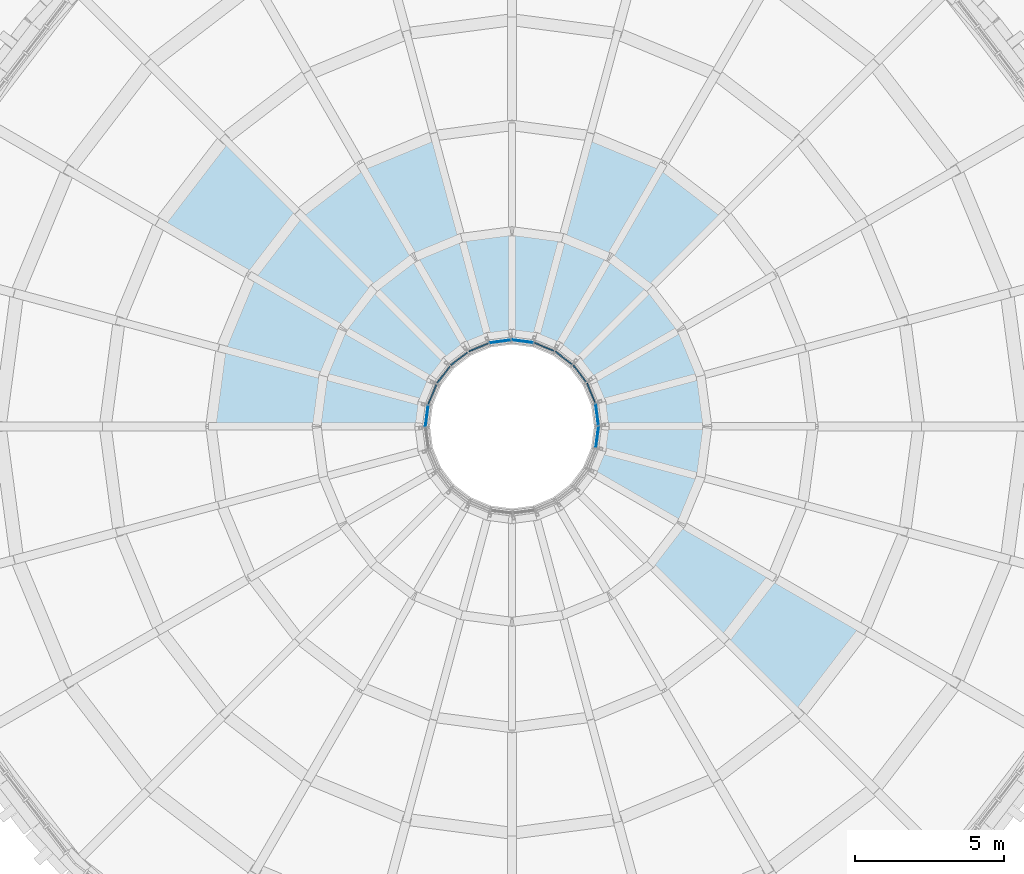
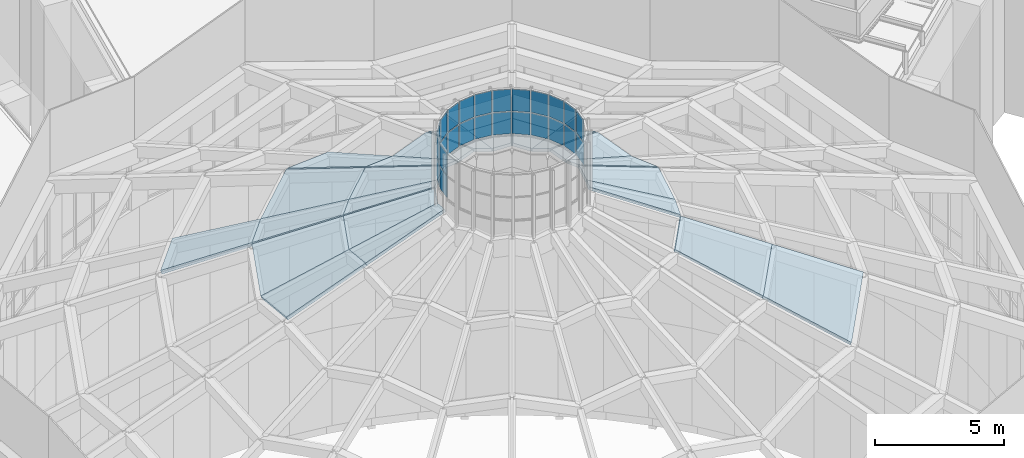
# One storey, part 42 of 82: 26 plates, 24 slabs, 14 elements without a shape of their own.
"""IFC4 building model written with IfcOpenShell, lengths in metres."""

from ifc_helpers import new_model, si_unit, direction, frame, origin, origin_2d, place, context, subcontext, project, spatial, polyline, rectangle, outline, extrude, material, layer, layer_set, type_object, element, aggregate, save


model = new_model("IFC4")

# Units and contexts
model_context = context("Model", 3, precision=1e-05, world=origin(), true_north=direction((0.0, 1.0)))
body_context = subcontext(model_context, "Body", "Model", "MODEL_VIEW")
ifc_project = project(units=[si_unit("LENGTHUNIT", "METRE"), si_unit("AREAUNIT", "SQUARE_METRE"), si_unit("VOLUMEUNIT", "CUBIC_METRE"), si_unit("PLANEANGLEUNIT", "RADIAN"), si_unit("MASSUNIT", "GRAM", prefix="KILO")], contexts=[model_context])

# Site, building, storey
site_placement = place(None, origin())
site = spatial("IfcSite", under=ifc_project, at=site_placement, CompositionType="ELEMENT")
building_placement = place(site_placement, origin())
building = spatial("IfcBuilding", under=site, at=building_placement, Name="Volute Hill Aquarium", CompositionType="ELEMENT")
storey_placement = place(building_placement, frame((0.0, 0.0, 13.800048828125)))
storey = spatial("IfcBuildingStorey", under=building, at=storey_placement, Name="L04", CompositionType="ELEMENT", Elevation=13.800048828125)

# Curtain wall, plates
ifc_material_1 = material(Name="Aluminium", Category="aluminium")
ifc_layer_1 = layer(ifc_material_1, 0.139892578125)
ifc_layer_set_1 = layer_set([ifc_layer_1], Name="Curtain wall DR lantern module 757")
curtain_wall_type = type_object("IfcCurtainWallType", Name="Curtain wall DR lantern module 757", PredefinedType="NOTDEFINED", material=ifc_layer_set_1)
curtain_wall_1_placement = place(storey_placement, origin())
curtain_wall_1 = element("IfcCurtainWall", 1, at=curtain_wall_1_placement, inside=storey, type_object=curtain_wall_type, Name="Curtain wall CW DR lantern l00", PredefinedType="NOTDEFINED")
ifc_material_2 = material(Name="Glass, low-iron laminated", Category="glass")
ifc_layer_2 = layer(ifc_material_2, 0.031982421875)
ifc_layer_set_2 = layer_set([ifc_layer_2], Name="Curtain wall glass panel lantern 32")
plate_type = type_object("IfcPlateType", Name="Curtain wall glass panel lantern 32", PredefinedType="CURTAIN_PANEL", material=ifc_layer_set_2)
plate_1_placement = place(storey_placement, frame((2.847412109375, 0.400146484375, 25.216552734375), z_axis=(0.0, 0.0, 1.0), x_axis=(-0.130502348011, 0.991448000232, 0.0)))
plate_1 = element("IfcPlate", 2, at=plate_1_placement, type_object=plate_type, Name="Panel DR lantern 1.1", PredefinedType="CURTAIN_PANEL", context=body_context, shape_type="SweptSolid", body=[
    extrude(rectangle(XDim=0.70703125, YDim=0.031982421875, at=origin_2d()), origin(), (0.0, 0.0, 1.0), 1.02490234375),
])
plate_2_placement = place(storey_placement, frame((2.909423828125, 0.0517578125, 26.29150390625), z_axis=(0.991443713746, 0.13053490902, 0.0), x_axis=(-0.13053490902, 0.991443713746, 0.0)))
plate_2 = element("IfcPlate", 3, at=plate_2_placement, type_object=plate_type, Name="Panel DR lantern 1.2", PredefinedType="CURTAIN_PANEL", context=body_context, shape_type="SweptSolid", body=[
    extrude(outline(polyline([(0.0, 0.0), (0.7069768305115505, 0.0), (0.7069768305115505, 1.025146484375), (0.0, 1.025146484375), (0.0, 0.0)])), origin(), (0.0, 0.0, -1.0), 0.031982421875),
])
aggregate(curtain_wall_1, [plate_1, plate_2])

curtain_wall_2_placement = place(storey_placement, origin())
curtain_wall_2 = element("IfcCurtainWall", 4, at=curtain_wall_2_placement, inside=storey, type_object=curtain_wall_type, Name="Curtain wall CW DR lantern l01", PredefinedType="NOTDEFINED")
plate_3_placement = place(storey_placement, frame((2.646728515625, 1.123291015625, 25.216552734375), z_axis=(0.0, 0.0, 1.0), x_axis=(-0.382682343719, 0.923879983442, 0.0)))
plate_3 = element("IfcPlate", 5, at=plate_3_placement, type_object=plate_type, Name="Panel DR lantern 1.1", PredefinedType="CURTAIN_PANEL", context=body_context, shape_type="SweptSolid", body=[
    extrude(rectangle(XDim=0.70703125, YDim=0.031982421875, at=origin_2d()), origin(), (0.0, 0.0, 1.0), 1.02490234375),
])
plate_4_placement = place(storey_placement, frame((2.796875, 0.802978515625, 26.29150390625), z_axis=(0.923882130891, 0.382677159262, 0.0), x_axis=(-0.382677159262, 0.923882130891, 0.0)))
plate_4 = element("IfcPlate", 6, at=plate_4_placement, type_object=plate_type, Name="Panel DR lantern 1.2", PredefinedType="CURTAIN_PANEL", context=body_context, shape_type="SweptSolid", body=[
    extrude(outline(polyline([(0.0, 0.0), (0.7068825665515027, 0.0), (0.7068825665515027, 1.025146484375), (0.0, 1.025146484375), (0.0, 0.0)])), origin(), (0.0, 0.0, -1.0), 0.031982421875),
])
aggregate(curtain_wall_2, [plate_3, plate_4])

curtain_wall_3_placement = place(storey_placement, origin())
curtain_wall_3 = element("IfcCurtainWall", 7, at=curtain_wall_3_placement, inside=storey, type_object=curtain_wall_type, Name="Curtain wall CW DR lantern l02", PredefinedType="NOTDEFINED")
plate_5_placement = place(storey_placement, frame((2.265869140625, 1.77001953125, 25.216552734375), z_axis=(0.0, 0.0, 1.0), x_axis=(-0.608797519421, 0.79332564584, 0.0)))
plate_5 = element("IfcPlate", 8, at=plate_5_placement, type_object=plate_type, Name="Panel DR lantern 1.1", PredefinedType="CURTAIN_PANEL", context=body_context, shape_type="SweptSolid", body=[
    extrude(rectangle(XDim=0.70703125, YDim=0.031982421875, at=origin_2d()), origin(), (0.0, 0.0, 1.0), 1.02490234375),
])
plate_6_placement = place(storey_placement, frame((2.49365234375, 1.49951171875, 26.29150390625), z_axis=(0.793278292564, 0.608859220631, 0.0), x_axis=(-0.608859220631, 0.793278292564, 0.0)))
plate_6 = element("IfcPlate", 9, at=plate_6_placement, type_object=plate_type, Name="Panel DR lantern 1.2", PredefinedType="CURTAIN_PANEL", context=body_context, shape_type="SweptSolid", body=[
    extrude(outline(polyline([(0.0, 0.0), (0.7069284775368723, 0.0), (0.7069284775368723, 1.025146484375), (0.0, 1.025146484375), (0.0, 0.0)])), origin(), (0.0, 0.0, -1.0), 0.031982421875),
])
aggregate(curtain_wall_3, [plate_5, plate_6])

curtain_wall_4_placement = place(storey_placement, origin())
curtain_wall_4 = element("IfcCurtainWall", 10, at=curtain_wall_4_placement, inside=storey, type_object=curtain_wall_type, Name="Curtain wall CW DR lantern l03", PredefinedType="NOTDEFINED")
plate_7_placement = place(storey_placement, frame((1.73046875, 2.29638671875, 25.216552734375), z_axis=(0.0, 0.0, 1.0), x_axis=(-0.79332564584, 0.608797519421, 0.0)))
plate_7 = element("IfcPlate", 11, at=plate_7_placement, type_object=plate_type, Name="Panel DR lantern 1.1", PredefinedType="CURTAIN_PANEL", context=body_context, shape_type="SweptSolid", body=[
    extrude(rectangle(XDim=0.70703125, YDim=0.031982421875, at=origin_2d()), origin(), (0.0, 0.0, 1.0), 1.02490234375),
])
plate_8_placement = place(storey_placement, frame((2.020751953125, 2.09375, 26.29150390625), z_axis=(0.608692448648, 0.79340626602, 0.0), x_axis=(-0.79340626602, 0.608692448648, 0.0)))
plate_8 = element("IfcPlate", 12, at=plate_8_placement, type_object=plate_type, Name="Panel DR lantern 1.2", PredefinedType="CURTAIN_PANEL", context=body_context, shape_type="SweptSolid", body=[
    extrude(outline(polyline([(0.0, 0.0), (0.7071221646189172, 0.0), (0.7071221646189172, 1.0251464843749998), (0.0, 1.0251464843749998), (0.0, 0.0)])), origin(), (0.0, 0.0, -1.0), 0.031982421875),
])
aggregate(curtain_wall_4, [plate_7, plate_8])

curtain_wall_5_placement = place(storey_placement, origin())
curtain_wall_5 = element("IfcCurtainWall", 13, at=curtain_wall_5_placement, inside=storey, type_object=curtain_wall_type, Name="Curtain wall CW DR lantern l04", PredefinedType="NOTDEFINED")
plate_9_placement = place(storey_placement, frame((1.0771484375, 2.666015625, 25.216552734375), z_axis=(0.0, 0.0, 1.0), x_axis=(-0.923879983442, 0.382682343719, 0.0)))
plate_9 = element("IfcPlate", 14, at=plate_9_placement, type_object=plate_type, Name="Panel DR lantern 1.1", PredefinedType="CURTAIN_PANEL", context=body_context, shape_type="SweptSolid", body=[
    extrude(rectangle(XDim=0.70703125, YDim=0.031982421875, at=origin_2d()), origin(), (0.0, 0.0, 1.0), 1.02490234375),
])
plate_10_placement = place(storey_placement, frame((1.409912109375, 2.54541015625, 26.29150390625), z_axis=(0.382849766253, 0.923810617216, 0.0), x_axis=(-0.923810617216, 0.382849766253, 0.0)))
plate_10 = element("IfcPlate", 15, at=plate_10_placement, type_object=plate_type, Name="Panel DR lantern 1.2", PredefinedType="CURTAIN_PANEL", context=body_context, shape_type="SweptSolid", body=[
    extrude(outline(polyline([(0.0, 0.0), (0.7072015630964766, 0.0), (0.7072015630964766, 1.025146484375), (0.0, 1.025146484375), (0.0, 0.0)])), origin(), (0.0, 0.0, -1.0), 0.031982421875),
])
aggregate(curtain_wall_5, [plate_9, plate_10])

curtain_wall_6_placement = place(storey_placement, origin())
curtain_wall_6 = element("IfcCurtainWall", 16, at=curtain_wall_6_placement, inside=storey, type_object=curtain_wall_type, Name="Curtain wall CW DR lantern l05", PredefinedType="NOTDEFINED")
plate_11_placement = place(storey_placement, frame((0.3505859375, 2.853759765625, 25.216552734375), z_axis=(0.0, 0.0, 1.0), x_axis=(-0.991448000232, 0.130502348011, 0.0)))
plate_11 = element("IfcPlate", 17, at=plate_11_placement, type_object=plate_type, Name="Panel DR lantern 1.1", PredefinedType="CURTAIN_PANEL", context=body_context, shape_type="SweptSolid", body=[
    extrude(rectangle(XDim=0.70703125, YDim=0.031982421875, at=origin_2d()), origin(), (0.0, 0.0, 1.0), 1.02490234375),
])
plate_12_placement = place(storey_placement, frame((0.703125, 2.823486328125, 26.29150390625), z_axis=(0.13053490902, 0.991443713746, 0.0), x_axis=(-0.991443713746, 0.13053490902, 0.0)))
plate_12 = element("IfcPlate", 18, at=plate_12_placement, type_object=plate_type, Name="Panel DR lantern 1.2", PredefinedType="CURTAIN_PANEL", context=body_context, shape_type="SweptSolid", body=[
    extrude(outline(polyline([(0.0, 0.0), (0.7069768305115505, 0.0), (0.7069768305115505, 1.025146484375), (0.0, 1.025146484375), (0.0, 0.0)])), origin(), (0.0, 0.0, -1.0), 0.031982421875),
])
aggregate(curtain_wall_6, [plate_11, plate_12])

curtain_wall_7_placement = place(storey_placement, origin())
curtain_wall_7 = element("IfcCurtainWall", 19, at=curtain_wall_7_placement, inside=storey, type_object=curtain_wall_type, Name="Curtain wall CW DR lantern l06", PredefinedType="NOTDEFINED")
plate_13_placement = place(storey_placement, frame((-0.400146484375, 2.847412109375, 25.216552734375), z_axis=(0.0, 0.0, 1.0), x_axis=(-0.991448000232, -0.130502348011, 0.0)))
plate_13 = element("IfcPlate", 20, at=plate_13_placement, type_object=plate_type, Name="Panel DR lantern 1.1", PredefinedType="CURTAIN_PANEL", context=body_context, shape_type="SweptSolid", body=[
    extrude(rectangle(XDim=0.70703125, YDim=0.031982421875, at=origin_2d()), origin(), (0.0, 0.0, 1.0), 1.02490234375),
])
plate_14_placement = place(storey_placement, frame((-0.0517578125, 2.909423828125, 26.29150390625), z_axis=(-0.13053490902, 0.991443713746, 0.0), x_axis=(-0.991443713746, -0.13053490902, 0.0)))
plate_14 = element("IfcPlate", 21, at=plate_14_placement, type_object=plate_type, Name="Panel DR lantern 1.2", PredefinedType="CURTAIN_PANEL", context=body_context, shape_type="SweptSolid", body=[
    extrude(outline(polyline([(0.0, 0.0), (0.7069768305115505, 0.0), (0.7069768305115505, 1.025146484375), (0.0, 1.025146484375), (0.0, 0.0)])), origin(), (0.0, 0.0, -1.0), 0.031982421875),
])
aggregate(curtain_wall_7, [plate_13, plate_14])

curtain_wall_8_placement = place(storey_placement, origin())
curtain_wall_8 = element("IfcCurtainWall", 22, at=curtain_wall_8_placement, inside=storey, type_object=curtain_wall_type, Name="Curtain wall CW DR lantern l07", PredefinedType="NOTDEFINED")
plate_15_placement = place(storey_placement, frame((-1.123291015625, 2.646728515625, 25.216552734375), z_axis=(0.0, 0.0, 1.0), x_axis=(-0.923879983442, -0.382682343719, 0.0)))
plate_15 = element("IfcPlate", 23, at=plate_15_placement, type_object=plate_type, Name="Panel DR lantern 1.1", PredefinedType="CURTAIN_PANEL", context=body_context, shape_type="SweptSolid", body=[
    extrude(rectangle(XDim=0.70703125, YDim=0.031982421875, at=origin_2d()), origin(), (0.0, 0.0, 1.0), 1.02490234375),
])
plate_16_placement = place(storey_placement, frame((-0.802978515625, 2.796875, 26.29150390625), z_axis=(-0.382677159262, 0.923882130891, 0.0), x_axis=(-0.923882130891, -0.382677159262, 0.0)))
plate_16 = element("IfcPlate", 24, at=plate_16_placement, type_object=plate_type, Name="Panel DR lantern 1.2", PredefinedType="CURTAIN_PANEL", context=body_context, shape_type="SweptSolid", body=[
    extrude(outline(polyline([(0.0, 0.0), (0.7068825665515027, 0.0), (0.7068825665515027, 1.025146484375), (0.0, 1.025146484375), (0.0, 0.0)])), origin(), (0.0, 0.0, -1.0), 0.031982421875),
])
aggregate(curtain_wall_8, [plate_15, plate_16])

curtain_wall_9_placement = place(storey_placement, origin())
curtain_wall_9 = element("IfcCurtainWall", 25, at=curtain_wall_9_placement, inside=storey, type_object=curtain_wall_type, Name="Curtain wall CW DR lantern l08", PredefinedType="NOTDEFINED")
plate_17_placement = place(storey_placement, frame((-1.77001953125, 2.265869140625, 25.216552734375), z_axis=(0.0, 0.0, 1.0), x_axis=(-0.79332564584, -0.608797519421, 0.0)))
plate_17 = element("IfcPlate", 26, at=plate_17_placement, type_object=plate_type, Name="Panel DR lantern 1.1", PredefinedType="CURTAIN_PANEL", context=body_context, shape_type="SweptSolid", body=[
    extrude(rectangle(XDim=0.70703125, YDim=0.031982421875, at=origin_2d()), origin(), (0.0, 0.0, 1.0), 1.02490234375),
])
plate_18_placement = place(storey_placement, frame((-1.49951171875, 2.49365234375, 26.29150390625), z_axis=(-0.608859220631, 0.793278292564, 0.0), x_axis=(-0.793278292564, -0.608859220631, 0.0)))
plate_18 = element("IfcPlate", 27, at=plate_18_placement, type_object=plate_type, Name="Panel DR lantern 1.2", PredefinedType="CURTAIN_PANEL", context=body_context, shape_type="SweptSolid", body=[
    extrude(outline(polyline([(0.0, 0.0), (0.7069284775368723, 0.0), (0.7069284775368723, 1.025146484375), (0.0, 1.025146484375), (0.0, 0.0)])), origin(), (0.0, 0.0, -1.0), 0.031982421875),
])
aggregate(curtain_wall_9, [plate_17, plate_18])

curtain_wall_10_placement = place(storey_placement, origin())
curtain_wall_10 = element("IfcCurtainWall", 28, at=curtain_wall_10_placement, inside=storey, type_object=curtain_wall_type, Name="Curtain wall CW DR lantern l09", PredefinedType="NOTDEFINED")
plate_19_placement = place(storey_placement, frame((-2.29638671875, 1.73046875, 25.216552734375), z_axis=(0.0, 0.0, 1.0), x_axis=(-0.608797519421, -0.79332564584, 0.0)))
plate_19 = element("IfcPlate", 29, at=plate_19_placement, type_object=plate_type, Name="Panel DR lantern 1.1", PredefinedType="CURTAIN_PANEL", context=body_context, shape_type="SweptSolid", body=[
    extrude(rectangle(XDim=0.70703125, YDim=0.031982421875, at=origin_2d()), origin(), (0.0, 0.0, 1.0), 1.02490234375),
])
plate_20_placement = place(storey_placement, frame((-2.09375, 2.020751953125, 26.29150390625), z_axis=(-0.79340626602, 0.608692448648, 0.0), x_axis=(-0.608692448648, -0.79340626602, 0.0)))
plate_20 = element("IfcPlate", 30, at=plate_20_placement, type_object=plate_type, Name="Panel DR lantern 1.2", PredefinedType="CURTAIN_PANEL", context=body_context, shape_type="SweptSolid", body=[
    extrude(outline(polyline([(0.0, 0.0), (0.7071221646189172, 0.0), (0.7071221646189172, 1.0251464843749998), (0.0, 1.0251464843749998), (0.0, 0.0)])), origin(), (0.0, 0.0, -1.0), 0.031982421875),
])
aggregate(curtain_wall_10, [plate_19, plate_20])

curtain_wall_11_placement = place(storey_placement, origin())
curtain_wall_11 = element("IfcCurtainWall", 31, at=curtain_wall_11_placement, inside=storey, type_object=curtain_wall_type, Name="Curtain wall CW DR lantern l10", PredefinedType="NOTDEFINED")
plate_21_placement = place(storey_placement, frame((-2.666015625, 1.0771484375, 25.216552734375), z_axis=(0.0, 0.0, 1.0), x_axis=(-0.382682343719, -0.923879983442, 0.0)))
plate_21 = element("IfcPlate", 32, at=plate_21_placement, type_object=plate_type, Name="Panel DR lantern 1.1", PredefinedType="CURTAIN_PANEL", context=body_context, shape_type="SweptSolid", body=[
    extrude(rectangle(XDim=0.70703125, YDim=0.031982421875, at=origin_2d()), origin(), (0.0, 0.0, 1.0), 1.02490234375),
])
plate_22_placement = place(storey_placement, frame((-2.54541015625, 1.409912109375, 26.29150390625), z_axis=(-0.923810617216, 0.382849766253, 0.0), x_axis=(-0.382849766253, -0.923810617216, 0.0)))
plate_22 = element("IfcPlate", 33, at=plate_22_placement, type_object=plate_type, Name="Panel DR lantern 1.2", PredefinedType="CURTAIN_PANEL", context=body_context, shape_type="SweptSolid", body=[
    extrude(outline(polyline([(0.0, 0.0), (0.7072015630964766, 0.0), (0.7072015630964766, 1.025146484375), (0.0, 1.025146484375), (0.0, 0.0)])), origin(), (0.0, 0.0, -1.0), 0.031982421875),
])
aggregate(curtain_wall_11, [plate_21, plate_22])

curtain_wall_12_placement = place(storey_placement, origin())
curtain_wall_12 = element("IfcCurtainWall", 34, at=curtain_wall_12_placement, inside=storey, type_object=curtain_wall_type, Name="Curtain wall CW DR lantern l11", PredefinedType="NOTDEFINED")
plate_23_placement = place(storey_placement, frame((-2.853759765625, 0.3505859375, 25.216552734375), z_axis=(0.0, 0.0, 1.0), x_axis=(-0.130502348011, -0.991448000232, 0.0)))
plate_23 = element("IfcPlate", 35, at=plate_23_placement, type_object=plate_type, Name="Panel DR lantern 1.1", PredefinedType="CURTAIN_PANEL", context=body_context, shape_type="SweptSolid", body=[
    extrude(rectangle(XDim=0.70703125, YDim=0.031982421875, at=origin_2d()), origin(), (0.0, 0.0, 1.0), 1.02490234375),
])
plate_24_placement = place(storey_placement, frame((-2.823486328125, 0.703125, 26.29150390625), z_axis=(-0.991443713746, 0.13053490902, 0.0), x_axis=(-0.13053490902, -0.991443713746, 0.0)))
plate_24 = element("IfcPlate", 36, at=plate_24_placement, type_object=plate_type, Name="Panel DR lantern 1.2", PredefinedType="CURTAIN_PANEL", context=body_context, shape_type="SweptSolid", body=[
    extrude(outline(polyline([(0.0, 0.0), (0.7069768305115505, 0.0), (0.7069768305115505, 1.025146484375), (0.0, 1.025146484375), (0.0, 0.0)])), origin(), (0.0, 0.0, -1.0), 0.031982421875),
])
aggregate(curtain_wall_12, [plate_23, plate_24])

curtain_wall_13_placement = place(storey_placement, origin())
curtain_wall_13 = element("IfcCurtainWall", 37, at=curtain_wall_13_placement, inside=storey, type_object=curtain_wall_type, Name="Curtain wall CW DR lantern l23", PredefinedType="NOTDEFINED")
plate_25_placement = place(storey_placement, frame((2.853759765625, -0.3505859375, 25.216552734375), z_axis=(0.0, 0.0, 1.0), x_axis=(0.130502348011, 0.991448000232, 0.0)))
plate_25 = element("IfcPlate", 38, at=plate_25_placement, type_object=plate_type, Name="Panel DR lantern 1.1", PredefinedType="CURTAIN_PANEL", context=body_context, shape_type="SweptSolid", body=[
    extrude(rectangle(XDim=0.70703125, YDim=0.031982421875, at=origin_2d()), origin(), (0.0, 0.0, 1.0), 1.02490234375),
])
plate_26_placement = place(storey_placement, frame((2.823486328125, -0.703125, 26.29150390625), z_axis=(0.991443713746, -0.13053490902, 0.0), x_axis=(0.13053490902, 0.991443713746, 0.0)))
plate_26 = element("IfcPlate", 39, at=plate_26_placement, type_object=plate_type, Name="Panel DR lantern 1.2", PredefinedType="CURTAIN_PANEL", context=body_context, shape_type="SweptSolid", body=[
    extrude(outline(polyline([(0.0, 0.0), (0.7069768305115505, 0.0), (0.7069768305115505, 1.025146484375), (0.0, 1.025146484375), (0.0, 0.0)])), origin(), (0.0, 0.0, -1.0), 0.031982421875),
])
aggregate(curtain_wall_13, [plate_25, plate_26])

# Roof, slabs
roof_placement = place(storey_placement, origin())
roof = element("IfcRoof", 40, at=roof_placement, inside=storey, Name="Folded dome shell roof", PredefinedType="DOME_ROOF")
ifc_material_3 = material(Name="Concrete C40/50", Category="concrete")
ifc_layer_3 = layer(ifc_material_3, 0.1201171875)
ifc_layer_set_3 = layer_set([ifc_layer_3], Name="Dome shell plate C40/50 120")
slab_type_1 = type_object("IfcSlabType", Name="Dome shell plate C40/50 120", PredefinedType="ROOF", material=ifc_layer_set_3)
slab_1_placement = place(storey_placement, frame((6.5361328125, 0.037353515625, 23.369873046875), z_axis=(0.335467684888, 0.279210936587, 0.899723671627), x_axis=(-0.126956664477, 0.959755082782, -0.250503865078)))
slab_1 = element("IfcSlab", 41, at=slab_1_placement, type_object=slab_type_1, Name="Dome shell plate 5.1", PredefinedType="ROOF", context=body_context, shape_type="SweptSolid", body=[
    extrude(outline(polyline([(0.0, 0.0), (1.7247098218959465, 2.7755575615628914e-17), (0.8890618203838421, 3.77687718185007), (0.11881048347109141, 3.776201344347077), (0.0, 0.0)])), origin(), (0.0, 0.0, -1.0), 0.1201171875),
])
slab_2_placement = place(storey_placement, frame((6.317138671875, 1.692626953125, 22.937744140625), z_axis=(0.430139073391, -0.074118016519, 0.899714897714), x_axis=(-0.369848434748, 0.894679276158, 0.250521711889)))
slab_2 = element("IfcSlab", 42, at=slab_2_placement, type_object=slab_type_1, Name="Dome shell plate 5.2", PredefinedType="ROOF", context=body_context, shape_type="SweptSolid", body=[
    extrude(outline(polyline([(0.0, 0.0), (1.7248791734948663, 2.7755575615628914e-17), (1.605758669942584, 3.776118567442564), (0.8357770280184584, 3.77684863304529), (0.0, 0.0)])), origin(), (0.0, 0.0, -1.0), 0.1201171875),
])
slab_3_placement = place(storey_placement, frame((5.641845703125, 3.300537109375, 23.369873046875), z_axis=(0.150886878852, 0.409565437127, 0.899716234432), x_axis=(-0.589855554207, 0.767661969918, -0.250530487393)))
slab_3 = element("IfcSlab", 43, at=slab_3_placement, type_object=slab_type_1, Name="Dome shell plate 5.3", PredefinedType="ROOF", context=body_context, shape_type="SweptSolid", body=[
    extrude(outline(polyline([(0.0, 0.0), (1.7247065234202523, 5.551115123125783e-17), (0.888967411296786, 3.7768765763073215), (0.11887184995857247, 3.776126402998328), (0.0, 0.0)])), origin(), (0.0, 0.0, -1.0), 0.1201171875),
])
slab_4_placement = place(storey_placement, frame((4.62451171875, 4.62451171875, 22.937744140625), z_axis=(0.409565437127, 0.150886878852, 0.899716234432), x_axis=(-0.767661969918, 0.589855554207, 0.250530487393)))
slab_4 = element("IfcSlab", 44, at=slab_4_placement, type_object=slab_type_1, Name="Dome shell plate 5.4", PredefinedType="ROOF", context=body_context, shape_type="SweptSolid", body=[
    extrude(outline(polyline([(0.0, 0.0), (1.7247065234202523, -5.551115123125783e-17), (1.60583467346168, 3.7761264029983277), (0.8357391121234663, 3.776876576307321), (0.0, 0.0)])), origin(), (0.0, 0.0, -1.0), 0.1201171875),
])
slab_5_placement = place(storey_placement, frame((3.23583984375, 5.67919921875, 23.369873046875), z_axis=(-0.074118016519, 0.430139073391, 0.899714897714), x_axis=(-0.894679276158, 0.369848434748, -0.250521711889)))
slab_5 = element("IfcSlab", 45, at=slab_5_placement, type_object=slab_type_1, Name="Dome shell plate 5.5", PredefinedType="ROOF", context=body_context, shape_type="SweptSolid", body=[
    extrude(outline(polyline([(0.0, 0.0), (1.7248791734948663, -2.7755575615628914e-17), (0.8891021454764074, 3.77684863304529), (0.11912050355228215, 3.776118567442564), (0.0, 0.0)])), origin(), (0.0, 0.0, -1.0), 0.1201171875),
])
slab_6_placement = place(storey_placement, frame((1.692626953125, 6.317138671875, 22.937744140625), z_axis=(0.279210936587, 0.335467684888, 0.899723671627), x_axis=(-0.959755082782, 0.126956664477, 0.250503865078)))
slab_6 = element("IfcSlab", 46, at=slab_6_placement, type_object=slab_type_1, Name="Dome shell plate 5.6", PredefinedType="ROOF", context=body_context, shape_type="SweptSolid", body=[
    extrude(outline(polyline([(0.0, 0.0), (1.7247098218959465, -2.7755575615628914e-17), (1.605899338424855, 3.776201344347077), (0.8356480015121044, 3.77687718185007), (0.0, 0.0)])), origin(), (0.0, 0.0, -1.0), 0.1201171875),
])
slab_7_placement = place(storey_placement, frame((-0.037353515625, 6.5361328125, 23.369873046875), z_axis=(-0.279210936587, 0.335467684888, 0.899723671627), x_axis=(-0.959755082782, -0.126956664477, -0.250503865078)))
slab_7 = element("IfcSlab", 47, at=slab_7_placement, type_object=slab_type_1, Name="Dome shell plate 5.7", PredefinedType="ROOF", context=body_context, shape_type="SweptSolid", body=[
    extrude(outline(polyline([(0.0, 0.0), (1.7247098218959465, 2.7755575615628914e-17), (0.8890618203838421, 3.77687718185007), (0.11881048347109141, 3.776201344347077), (0.0, 0.0)])), origin(), (0.0, 0.0, -1.0), 0.1201171875),
])
slab_8_placement = place(storey_placement, frame((-1.692626953125, 6.317138671875, 22.937744140625), z_axis=(0.074118016519, 0.430139073391, 0.899714897714), x_axis=(-0.894679276158, -0.369848434748, 0.250521711889)))
slab_8 = element("IfcSlab", 48, at=slab_8_placement, type_object=slab_type_1, Name="Dome shell plate 5.8", PredefinedType="ROOF", context=body_context, shape_type="SweptSolid", body=[
    extrude(outline(polyline([(0.0, 0.0), (1.7248791734948663, 2.7755575615628914e-17), (1.605758669942584, 3.776118567442564), (0.8357770280184584, 3.77684863304529), (0.0, 0.0)])), origin(), (0.0, 0.0, -1.0), 0.1201171875),
])
slab_9_placement = place(storey_placement, frame((-3.300537109375, 5.641845703125, 23.369873046875), z_axis=(-0.409565437127, 0.150886878852, 0.899716234432), x_axis=(-0.767661969918, -0.589855554207, -0.250530487393)))
slab_9 = element("IfcSlab", 49, at=slab_9_placement, type_object=slab_type_1, Name="Dome shell plate 5.9", PredefinedType="ROOF", context=body_context, shape_type="SweptSolid", body=[
    extrude(outline(polyline([(0.0, 0.0), (1.7247065234202523, 5.551115123125783e-17), (0.888967411296786, 3.7768765763073215), (0.11887184995857247, 3.776126402998328), (0.0, 0.0)])), origin(), (0.0, 0.0, -1.0), 0.1201171875),
])
slab_10_placement = place(storey_placement, frame((-4.62451171875, 4.62451171875, 22.937744140625), z_axis=(-0.150886878852, 0.409565437127, 0.899716234432), x_axis=(-0.589855554207, -0.767661969918, 0.250530487393)))
slab_10 = element("IfcSlab", 50, at=slab_10_placement, type_object=slab_type_1, Name="Dome shell plate 5.10", PredefinedType="ROOF", context=body_context, shape_type="SweptSolid", body=[
    extrude(outline(polyline([(0.0, 0.0), (1.7247065234202523, -5.551115123125783e-17), (1.60583467346168, 3.7761264029983277), (0.8357391121234663, 3.776876576307321), (0.0, 0.0)])), origin(), (0.0, 0.0, -1.0), 0.1201171875),
])
slab_11_placement = place(storey_placement, frame((-5.67919921875, 3.23583984375, 23.369873046875), z_axis=(-0.430139073391, -0.074118016519, 0.899714897714), x_axis=(-0.369848434748, -0.894679276158, -0.250521711889)))
slab_11 = element("IfcSlab", 51, at=slab_11_placement, type_object=slab_type_1, Name="Dome shell plate 5.11", PredefinedType="ROOF", context=body_context, shape_type="SweptSolid", body=[
    extrude(outline(polyline([(0.0, 0.0), (1.7248791734948663, -2.7755575615628914e-17), (0.8891021454764074, 3.77684863304529), (0.11912050355228215, 3.776118567442564), (0.0, 0.0)])), origin(), (0.0, 0.0, -1.0), 0.1201171875),
])
slab_12_placement = place(storey_placement, frame((-6.317138671875, 1.692626953125, 22.937744140625), z_axis=(-0.335467684888, 0.279210936587, 0.899723671627), x_axis=(-0.126956664477, -0.959755082782, 0.250503865078)))
slab_12 = element("IfcSlab", 52, at=slab_12_placement, type_object=slab_type_1, Name="Dome shell plate 5.12", PredefinedType="ROOF", context=body_context, shape_type="SweptSolid", body=[
    extrude(outline(polyline([(0.0, 0.0), (1.7247098218959465, -2.7755575615628914e-17), (1.605899338424855, 3.776201344347077), (0.8356480015121044, 3.77687718185007), (0.0, 0.0)])), origin(), (0.0, 0.0, -1.0), 0.1201171875),
])
slab_13_placement = place(storey_placement, frame((5.67919921875, -3.23583984375, 23.369873046875), z_axis=(0.430139073391, 0.074118016519, 0.899714897714), x_axis=(0.369848434748, 0.894679276158, -0.250521711889)))
slab_13 = element("IfcSlab", 53, at=slab_13_placement, type_object=slab_type_1, Name="Dome shell plate 5.23", PredefinedType="ROOF", context=body_context, shape_type="SweptSolid", body=[
    extrude(outline(polyline([(0.0, 0.0), (1.7248791734948663, -2.7755575615628914e-17), (0.8891021454764074, 3.77684863304529), (0.11912050355228215, 3.776118567442564), (0.0, 0.0)])), origin(), (0.0, 0.0, -1.0), 0.1201171875),
])
slab_14_placement = place(storey_placement, frame((6.317138671875, -1.692626953125, 22.937744140625), z_axis=(0.335467684888, -0.279210936587, 0.899723671627), x_axis=(0.126956664477, 0.959755082782, 0.250503865078)))
slab_14 = element("IfcSlab", 54, at=slab_14_placement, type_object=slab_type_1, Name="Dome shell plate 5.24", PredefinedType="ROOF", context=body_context, shape_type="SweptSolid", body=[
    extrude(outline(polyline([(0.0, 0.0), (1.7247098218959465, -2.7755575615628914e-17), (1.605899338424855, 3.776201344347077), (0.8356480015121044, 3.77687718185007), (0.0, 0.0)])), origin(), (0.0, 0.0, -1.0), 0.1201171875),
])
ifc_material_4 = material(Name="Concrete C40/50", Category="concrete")
ifc_layer_4 = layer(ifc_material_4, 0.139892578125)
ifc_layer_set_4 = layer_set([ifc_layer_4], Name="Dome shell plate C40/50 140")
slab_type_2 = type_object("IfcSlabType", Name="Dome shell plate C40/50 140", PredefinedType="ROOF", material=ifc_layer_set_4)
slab_15_placement = place(storey_placement, frame((7.127685546875, 7.127685546875, 21.378173828125), z_axis=(0.409571955492, 0.150917160654, 0.899708188189), x_axis=(-0.767773001723, 0.589682321643, 0.250598039431)))
slab_15 = element("IfcSlab", 55, at=slab_15_placement, type_object=slab_type_2, Name="Dome shell plate 4.4", PredefinedType="ROOF", context=body_context, shape_type="SweptSolid", body=[
    extrude(outline(polyline([(0.0, 0.0), (2.6737049438225817, 1.1102230246251565e-16), (2.555649853683051, 3.7761520230332333), (0.8366171920776315, 3.776782974527546), (0.0, 0.0)])), origin(), (0.0, 0.0, -1.0), 0.139892578125),
])
slab_16_placement = place(storey_placement, frame((5.00048828125, 8.747314453125, 22.04833984375), z_axis=(-0.074106409516, 0.430150039954, 0.899710610806), x_axis=(-0.89456931387, 0.370056925563, -0.25060649338)))
slab_16 = element("IfcSlab", 56, at=slab_16_placement, type_object=slab_type_2, Name="Dome shell plate 4.5", PredefinedType="ROOF", context=body_context, shape_type="SweptSolid", body=[
    extrude(outline(polyline([(0.0, 0.0), (2.6734830286582674, 5.551115123125783e-17), (1.8369173684545137, 3.77683405495248), (0.11786606001242378, 3.7762417093378122), (0.0, 0.0)])), origin(), (0.0, 0.0, -1.0), 0.139892578125),
])
slab_17_placement = place(storey_placement, frame((-2.60888671875, 9.736572265625, 21.378173828125), z_axis=(0.074106409516, 0.430150039954, 0.899710610806), x_axis=(-0.89456931387, -0.370056925563, 0.25060649338)))
slab_17 = element("IfcSlab", 57, at=slab_17_placement, type_object=slab_type_2, Name="Dome shell plate 4.8", PredefinedType="ROOF", context=body_context, shape_type="SweptSolid", body=[
    extrude(outline(polyline([(0.0, 0.0), (2.6734830286582674, -5.551115123125783e-17), (2.555616968645844, 3.7762417093378122), (0.8365656602037538, 3.77683405495248), (0.0, 0.0)])), origin(), (0.0, 0.0, -1.0), 0.139892578125),
])
slab_18_placement = place(storey_placement, frame((-5.074951171875, 8.704345703125, 22.04833984375), z_axis=(-0.409571955492, 0.150917160654, 0.899708188189), x_axis=(-0.767773001723, -0.589682321643, -0.250598039431)))
slab_18 = element("IfcSlab", 58, at=slab_18_placement, type_object=slab_type_2, Name="Dome shell plate 4.9", PredefinedType="ROOF", context=body_context, shape_type="SweptSolid", body=[
    extrude(outline(polyline([(0.0, 0.0), (2.6737049438225817, -1.1102230246251565e-16), (1.8370877517449506, 3.7767829745275465), (0.11805509013953114, 3.776152023033233), (0.0, 0.0)])), origin(), (0.0, 0.0, -1.0), 0.139892578125),
])
slab_19_placement = place(storey_placement, frame((-7.127685546875, 7.127685546875, 21.378173828125), z_axis=(-0.150917160654, 0.409571955492, 0.899708188189), x_axis=(-0.589682321643, -0.767773001723, 0.250598039431)))
slab_19 = element("IfcSlab", 59, at=slab_19_placement, type_object=slab_type_2, Name="Dome shell plate 4.10", PredefinedType="ROOF", context=body_context, shape_type="SweptSolid", body=[
    extrude(outline(polyline([(0.0, 0.0), (2.6737049438225817, 1.1102230246251565e-16), (2.555649853683051, 3.7761520230332333), (0.8366171920776315, 3.776782974527546), (0.0, 0.0)])), origin(), (0.0, 0.0, -1.0), 0.139892578125),
])
slab_20_placement = place(storey_placement, frame((-8.747314453125, 5.00048828125, 22.04833984375), z_axis=(-0.430150039954, -0.074106409516, 0.899710610806), x_axis=(-0.370056925563, -0.89456931387, -0.25060649338)))
slab_20 = element("IfcSlab", 60, at=slab_20_placement, type_object=slab_type_2, Name="Dome shell plate 4.11", PredefinedType="ROOF", context=body_context, shape_type="SweptSolid", body=[
    extrude(outline(polyline([(0.0, 0.0), (2.6734830286582674, 5.551115123125783e-17), (1.8369173684545137, 3.77683405495248), (0.11786606001242378, 3.7762417093378122), (0.0, 0.0)])), origin(), (0.0, 0.0, -1.0), 0.139892578125),
])
slab_21_placement = place(storey_placement, frame((-9.736572265625, 2.60888671875, 21.378173828125), z_axis=(-0.335474097256, 0.279266177282, 0.899704135978), x_axis=(-0.126820128678, -0.959744160327, 0.250614847286)))
slab_21 = element("IfcSlab", 61, at=slab_21_placement, type_object=slab_type_2, Name="Dome shell plate 4.12", PredefinedType="ROOF", context=body_context, shape_type="SweptSolid", body=[
    extrude(outline(polyline([(0.0, 0.0), (2.6735844823172137, -5.551115123125783e-17), (2.555403817911305, 3.7762211062591913), (0.8365734267340508, 3.776832337006092), (0.0, 0.0)])), origin(), (0.0, 0.0, -1.0), 0.139892578125),
])
slab_22_placement = place(storey_placement, frame((7.127685546875, -7.127685546875, 21.378173828125), z_axis=(0.150917160654, -0.409571955492, 0.899708188189), x_axis=(0.589682321643, 0.767773001723, 0.250598039431)))
slab_22 = element("IfcSlab", 62, at=slab_22_placement, type_object=slab_type_2, Name="Dome shell plate 4.22", PredefinedType="ROOF", context=body_context, shape_type="SweptSolid", body=[
    extrude(outline(polyline([(0.0, 0.0), (2.6737049438225817, 1.1102230246251565e-16), (2.555649853683051, 3.7761520230332333), (0.8366171920776315, 3.776782974527546), (0.0, 0.0)])), origin(), (0.0, 0.0, -1.0), 0.139892578125),
])
ifc_material_5 = material(Name="Concrete C40/50", Category="concrete")
ifc_layer_5 = layer(ifc_material_5, 0.159912109375)
ifc_layer_set_5 = layer_set([ifc_layer_5], Name="Dome shell plate C40/50 160")
slab_type_3 = type_object("IfcSlabType", Name="Dome shell plate C40/50 160", PredefinedType="ROOF", material=ifc_layer_set_5)
slab_23_placement = place(storey_placement, frame((-9.630859375, 9.630859375, 19.81884765625), z_axis=(-0.150875828039, 0.409570817127, 0.899715638561), x_axis=(-0.589649337697, -0.767786651978, 0.25063382772)))
slab_23 = element("IfcSlab", 63, at=slab_23_placement, type_object=slab_type_3, Name="Dome shell plate 3.10", PredefinedType="ROOF", context=body_context, shape_type="SweptSolid", body=[
    extrude(outline(polyline([(0.0, 0.0), (3.6224547851898223, -3.3306690738754696e-16), (3.5044282511796907, 3.7763511270510373), (0.8367285500414969, 3.7766574994908098), (0.0, 0.0)])), origin(), (0.0, 0.0, -1.0), 0.159912109375),
])
slab_24_placement = place(storey_placement, frame((9.630859375, -9.630859375, 19.81884765625), z_axis=(0.150875828039, -0.409570817127, 0.899715638561), x_axis=(0.589649337697, 0.767786651978, 0.25063382772)))
slab_24 = element("IfcSlab", 64, at=slab_24_placement, type_object=slab_type_3, Name="Dome shell plate 3.22", PredefinedType="ROOF", context=body_context, shape_type="SweptSolid", body=[
    extrude(outline(polyline([(0.0, 0.0), (3.6224547851898223, -3.3306690738754696e-16), (3.5044282511796907, 3.7763511270510373), (0.8367285500414969, 3.7766574994908098), (0.0, 0.0)])), origin(), (0.0, 0.0, -1.0), 0.159912109375),
])
aggregate(roof, [slab_23, slab_24, slab_15, slab_16, slab_17, slab_18, slab_19, slab_20, slab_21, slab_22, slab_1, slab_2, slab_3, slab_4, slab_5, slab_6, slab_7, slab_8, slab_9, slab_10, slab_11, slab_12, slab_13, slab_14])

save(model, "model.ifc")
